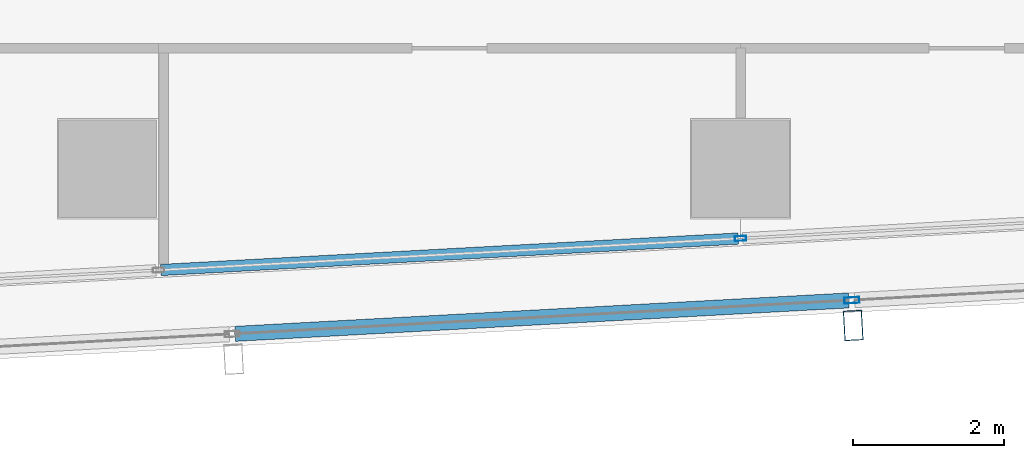
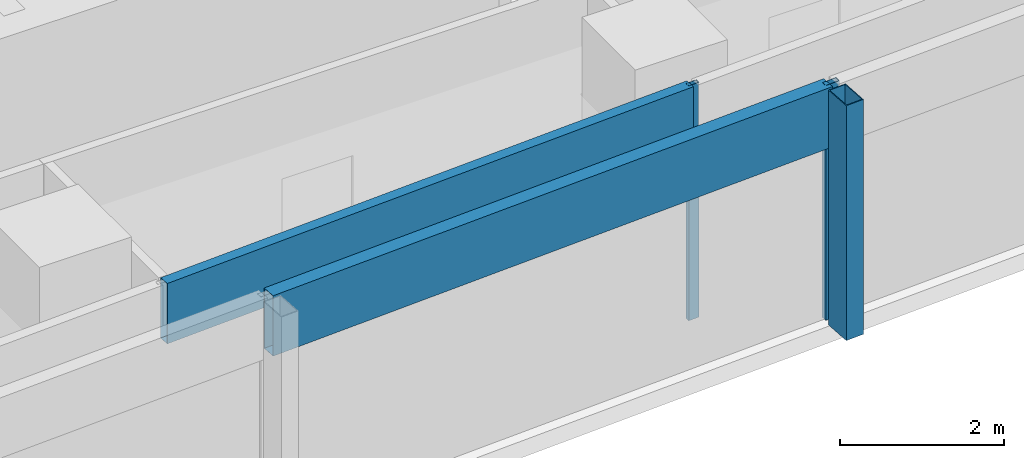
# One storey, part 10 of 30: 5 members, 2 elements without a shape of their own.
"""IFC4 building model written with IfcOpenShell, lengths in metres."""

from ifc_helpers import new_model, si_unit, direction, frame, origin, origin_2d, place, context, subcontext, project, spatial, hollow_rectangle, extrude, material, material_profile, profile_set, type_object, element, aggregate, save


model = new_model("IFC4")

# Units and contexts
model_context = context("Model", 3, precision=1e-05, world=origin(), true_north=direction((0.0, 1.0)))
body_context = subcontext(model_context, "Body", "Model", "MODEL_VIEW")
ifc_project = project(units=[si_unit("LENGTHUNIT", "METRE"), si_unit("AREAUNIT", "SQUARE_METRE"), si_unit("VOLUMEUNIT", "CUBIC_METRE"), si_unit("PLANEANGLEUNIT", "RADIAN"), si_unit("MASSUNIT", "GRAM", prefix="KILO")], contexts=[model_context])

# Site, building, storey
site_placement = place(None, origin())
site = spatial("IfcSite", under=ifc_project, at=site_placement, CompositionType="ELEMENT")
building_placement = place(site_placement, origin())
building = spatial("IfcBuilding", under=site, at=building_placement, Name="Rekha Terrace Tower", CompositionType="ELEMENT")
storey_placement = place(building_placement, frame((0.0, 0.0, 272.60009765625)))
storey = spatial("IfcBuildingStorey", under=building, at=storey_placement, Name="L69", CompositionType="ELEMENT", Elevation=272.60009765625)

# Curtain wall, member
ifc_material_1 = material(Name="Aluminium framing", Category="aluminium")
curtain_wall_type_1 = type_object("IfcCurtainWallType", Name="CW2 double skin outer glazing", PredefinedType="USERDEFINED", material=ifc_material_1)
curtain_wall_1_placement = place(storey_placement, origin())
curtain_wall_1 = element("IfcCurtainWall", 1, at=curtain_wall_1_placement, inside=storey, type_object=curtain_wall_type_1, Name="CW2 double skin outer glazing", ObjectType="DOUBLE SKIN OUTER GLAZING", PredefinedType="USERDEFINED")
ifc_material_2 = material(Name="Steel S355 with fluorocarbon finish", Category="steel")
ifc_material_profile_1 = material_profile(ifc_material_2, hollow_rectangle(XDim=0.25, YDim=0.39990234375, WallThickness=0.012451171875, at=origin_2d()), Name="RHS400x250x12.5")
ifc_profile_set_1 = profile_set([ifc_material_profile_1], Name="Steel S355 with fluorocarbon finish")
member_type_1 = type_object("IfcMemberType", Name="BL1 facade blade RHS 400 x 250", PredefinedType="USERDEFINED", material=ifc_profile_set_1)
member_1_placement = place(storey_placement, frame((51.894775390625, 14.719482421875, 0.0), z_axis=(0.0, 0.0, 1.0), x_axis=(0.99851982155, 0.054389024366, 0.0)))
member_1 = element("IfcMember", 2, at=member_1_placement, type_object=member_type_1, Name="Facade blade", ObjectType="FACADE BLADE", PredefinedType="USERDEFINED", context=body_context, shape_type="SweptSolid", body=[
    extrude(hollow_rectangle(XDim=0.25, YDim=0.39990234375, WallThickness=0.012451171875, at=origin_2d()), origin(), (0.0, 0.0, 1.0), 3.5),
])

# Curtain wall, members
curtain_wall_type_2 = type_object("IfcCurtainWallType", Name="CW1 double skin inner glazing", PredefinedType="USERDEFINED", material=ifc_material_1)
curtain_wall_2_placement = place(storey_placement, origin())
curtain_wall_2 = element("IfcCurtainWall", 3, at=curtain_wall_2_placement, inside=storey, type_object=curtain_wall_type_2, Name="CW1 double skin inner glazing", ObjectType="DOUBLE SKIN INNER GLAZING", PredefinedType="USERDEFINED")
ifc_material_3 = material(Name="Aluminium mullion section", Category="aluminium")
ifc_material_profile_2 = material_profile(ifc_material_3, hollow_rectangle(XDim=0.06494140625, YDim=0.14990234375, WallThickness=0.00390625, at=origin_2d()), Name="AL RHS 65x150")
ifc_profile_set_2 = profile_set([ifc_material_profile_2], Name="Aluminium mullion section")
member_type_2 = type_object("IfcMemberType", Name="CW1 mullion RHS 65 x 150", PredefinedType="MULLION", material=ifc_profile_set_2)
member_2_placement = place(storey_placement, frame((50.399169921875, 15.875, 0.0), z_axis=(0.0, 0.0, 1.0), x_axis=(-0.054388903036, 0.998519828159, 0.0)))
member_2 = element("IfcMember", 4, at=member_2_placement, type_object=member_type_2, Name="CW1 mullion 4", PredefinedType="MULLION", context=body_context, shape_type="SweptSolid", body=[
    extrude(hollow_rectangle(XDim=0.06494140625, YDim=0.14990234375, WallThickness=0.00390625, at=origin_2d()), origin(), (0.0, 0.0, 1.0), 3.5),
])
ifc_material_4 = material(Name="Insulated aluminium spandrel box", Category="aluminium")
ifc_material_profile_3 = material_profile(ifc_material_4, hollow_rectangle(XDim=0.14990234375, YDim=0.89990234375, WallThickness=0.0029296875, at=origin_2d()), Name="AL SPANDREL BOX 150x900")
ifc_profile_set_3 = profile_set([ifc_material_profile_3], Name="Insulated aluminium spandrel box")
member_type_3 = type_object("IfcMemberType", Name="CW1 spandrel transom 150 x 900", PredefinedType="USERDEFINED", material=ifc_profile_set_3)
member_3_placement = place(storey_placement, frame((42.7060546875, 15.4560546875, 3.0498046875), z_axis=(0.998520078442, 0.054384307925, 0.0), x_axis=(-0.054384307925, 0.998520078442, 0.0)))
member_3 = element("IfcMember", 5, at=member_3_placement, type_object=member_type_3, Name="CW1 spandrel transom 3", ObjectType="TRANSOM", PredefinedType="USERDEFINED", context=body_context, shape_type="SweptSolid", body=[
    extrude(hollow_rectangle(XDim=0.14990234375, YDim=0.89990234375, WallThickness=0.0029296875, at=origin_2d()), origin(), (0.0, 0.0, 1.0), 7.672119140625),
])
aggregate(curtain_wall_2, [member_2, member_3])

# Member
ifc_material_profile_4 = material_profile(ifc_material_3, hollow_rectangle(XDim=0.080078125, YDim=0.199951171875, WallThickness=0.00390625, at=origin_2d()), Name="AL RHS 80x200")
ifc_profile_set_4 = profile_set([ifc_material_profile_4], Name="Aluminium mullion section")
member_type_4 = type_object("IfcMemberType", Name="CW2 mullion RHS 80 x 200", PredefinedType="MULLION", material=ifc_profile_set_4)
member_4_placement = place(storey_placement, frame((51.87646484375, 15.05419921875, 0.0), z_axis=(0.0, 0.0, 1.0), x_axis=(-0.054388903071, 0.998519828157, 0.0)))
member_4 = element("IfcMember", 6, at=member_4_placement, type_object=member_type_4, Name="CW2 mullion 4", PredefinedType="MULLION", context=body_context, shape_type="SweptSolid", body=[
    extrude(hollow_rectangle(XDim=0.080078125, YDim=0.199951171875, WallThickness=0.00390625, at=origin_2d()), origin(), (0.0, 0.0, 1.0), 3.5),
])

ifc_material_profile_5 = material_profile(ifc_material_4, hollow_rectangle(XDim=0.199951171875, YDim=0.89990234375, WallThickness=0.0029296875, at=origin_2d()), Name="AL SPANDREL BOX 200x900")
ifc_profile_set_5 = profile_set([ifc_material_profile_5], Name="Insulated aluminium spandrel box")
member_type_5 = type_object("IfcMemberType", Name="CW2 spandrel transom 200 x 900", PredefinedType="USERDEFINED", material=ifc_profile_set_5)
member_5_placement = place(storey_placement, frame((43.693115234375, 14.6083984375, 3.0498046875), z_axis=(0.998519642092, 0.054392318914, 0.0), x_axis=(-0.054392318914, 0.998519642092, 0.0)))
member_5 = element("IfcMember", 7, at=member_5_placement, type_object=member_type_5, Name="CW2 spandrel transom 3", ObjectType="TRANSOM", PredefinedType="USERDEFINED", context=body_context, shape_type="SweptSolid", body=[
    extrude(hollow_rectangle(XDim=0.199951171875, YDim=0.89990234375, WallThickness=0.0029296875, at=origin_2d()), origin(), (0.0, 0.0, 1.0), 8.155517578125),
])

aggregate(curtain_wall_1, [member_4, member_5, member_1])

save(model, "model.ifc")
